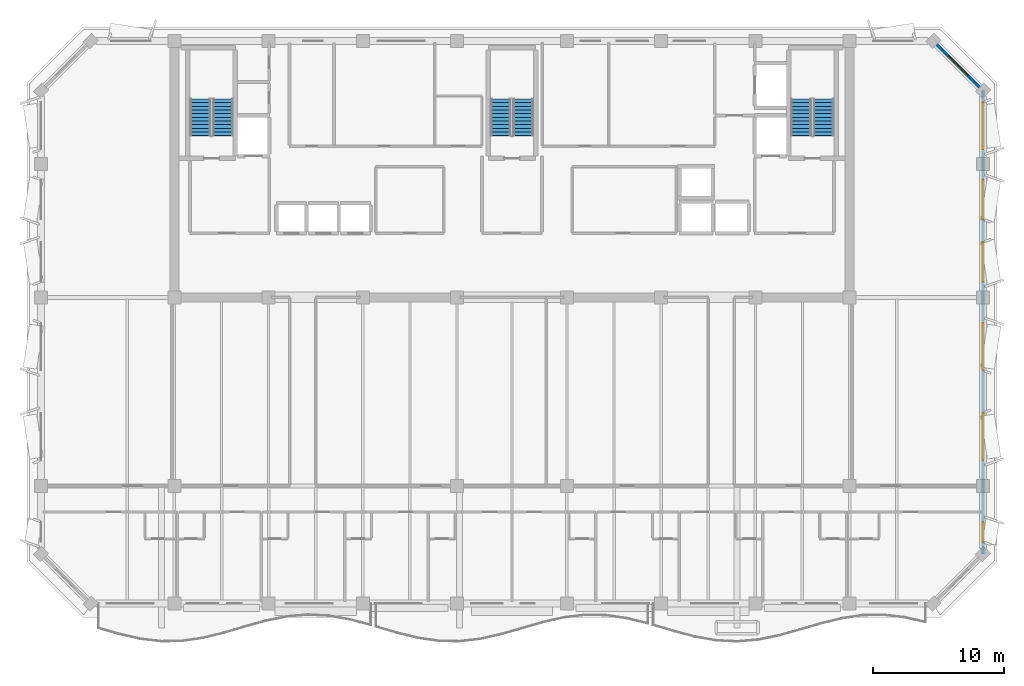
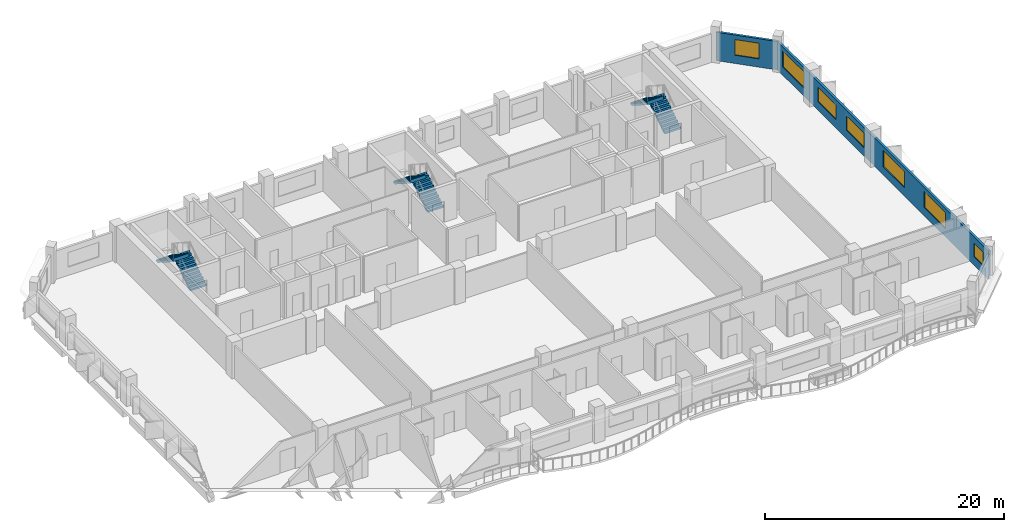
# One storey, part 8 of 11: 7 windows, 6 stair flights, 2 walls, 7 openings, 3 elements without a shape of their own.
"""IFC4 building model written with IfcOpenShell, lengths in metres."""

import ifcopenshell
import ifcopenshell.guid

model = None  # the IFC model being written
_history = None  # IfcOwnerHistory: only IFC2X3 demands one
_inside = {}  # id of a spatial element -> (the spatial element, [elements in it])
_under = {}  # id of a project, library or spatial element -> (it, [spatial elements below it])
_declared = {}  # id of a project -> (the project, [libraries it declares])
_typed = {}  # id of a type object -> (the type object, [elements of that type])
_made_of = {}  # id of a material, layer set ... -> (it, [elements and type objects made of it])


def new_model(schema):
    """Start an empty IFC model of exactly this schema.

    Asked for "IFC4X3", IfcOpenShell would pick the latest addendum, in which some entities
    have other attributes; the version numbers below select the first issue.
    IFC2X3 requires an IfcOwnerHistory on every rooted entity: one is made here for all.
    """
    global model, _history
    if schema == "IFC4X3":
        model = ifcopenshell.file(schema_version=(4, 3, 0, 0))
    else:
        model = ifcopenshell.file(schema=schema)
    _inside.clear()
    _under.clear()
    _declared.clear()
    _typed.clear()
    _made_of.clear()
    _history = None
    if model.schema == "IFC2X3":
        org = make("IfcOrganization", Name="unknown")
        user = make(
            "IfcPersonAndOrganization",
            ThePerson=make("IfcPerson", FamilyName="unknown"),
            TheOrganization=org,
        )
        app = make(
            "IfcApplication",
            ApplicationDeveloper=org,
            Version="unknown",
            ApplicationFullName="unknown",
            ApplicationIdentifier="unknown",
        )
        _history = make(
            "IfcOwnerHistory",
            OwningUser=user,
            OwningApplication=app,
            ChangeAction="ADDED",
            CreationDate=0,
        )
    return model


def make(cls, **values):
    """One entity of the class cls with the attributes given. An attribute that is None is left unset."""
    return model.create_entity(
        cls, **{name: value for name, value in values.items() if value is not None}
    )


def rooted(cls, **values):
    """An entity with a GlobalId (a new one), such as an element, a storey or a relation."""
    return make(cls, GlobalId=ifcopenshell.guid.new(), OwnerHistory=_history, **values)


def si_unit(unit_type, name, prefix=None):
    """IfcSIUnit, for example si_unit("LENGTHUNIT", "METRE", prefix="MILLI")."""
    return make("IfcSIUnit", UnitType=unit_type, Prefix=prefix, Name=name)


def assignment(units):
    """IfcUnitAssignment: the units of a project."""
    return None if units is None else make("IfcUnitAssignment", Units=units)


def point(xyz):
    """IfcCartesianPoint."""
    return None if xyz is None else make("IfcCartesianPoint", Coordinates=xyz)


def direction(xyz):
    """IfcDirection."""
    return None if xyz is None else make("IfcDirection", DirectionRatios=xyz)


def frame(location, z_axis=None, x_axis=None):
    """IfcAxis2Placement3D, a coordinate frame: its origin and axes. An axis left out is left unset."""
    return make(
        "IfcAxis2Placement3D",
        Location=point(location),
        Axis=direction(z_axis),
        RefDirection=direction(x_axis),
    )


def frame_2d(location, x_axis=None):
    """IfcAxis2Placement2D, a coordinate frame in the plane: its origin and x axis."""
    return make(
        "IfcAxis2Placement2D", Location=point(location), RefDirection=direction(x_axis)
    )


def origin():
    """The frame at (0, 0, 0) with its axes left unset."""
    return frame((0.0, 0.0, 0.0))


def place(relative_to, where):
    """IfcLocalPlacement: puts the frame where relative to a parent placement (None: the world)."""
    return make(
        "IfcLocalPlacement", PlacementRelTo=relative_to, RelativePlacement=where
    )


def context(
    kind, dimensions, precision=None, world=None, true_north=None, identifier=None
):
    """IfcGeometricRepresentationContext, for example the 3D "Model" context."""
    return make(
        "IfcGeometricRepresentationContext",
        ContextIdentifier=identifier,
        ContextType=kind,
        CoordinateSpaceDimension=dimensions,
        Precision=precision,
        WorldCoordinateSystem=world,
        TrueNorth=true_north,
    )


def subcontext(parent, identifier, kind, view, scale=None):
    """IfcGeometricRepresentationSubContext, for example "Body" below "Model"."""
    return make(
        "IfcGeometricRepresentationSubContext",
        ContextIdentifier=identifier,
        ContextType=kind,
        ParentContext=parent,
        TargetScale=scale,
        TargetView=view,
    )


def project(units=None, contexts=None):
    """IfcProject with its units and contexts."""
    return rooted(
        "IfcProject",
        Name="project",
        RepresentationContexts=contexts,
        UnitsInContext=assignment(units),
    )


def spatial(cls, under=None, at=None, **own):
    """A site, building, storey or space (cls), placed at a placement, below another one or the project."""
    s = rooted(cls, ObjectPlacement=at, **own)
    if under is not None:
        _under.setdefault(under.id(), (under, []))[1].append(s)
    return s


def polyline(points):
    """IfcPolyline through the points."""
    return make("IfcPolyline", Points=[point(p) for p in points])


def profile(cls, at=None, kind="AREA", **sizes):
    """A parametric profile (cls). Its sizes go by their IFC names, for example OverallWidth=200.0."""
    return make(cls, ProfileType=kind, Position=at, **sizes)


def rectangle(**sizes):
    """IfcRectangleProfileDef."""
    return profile("IfcRectangleProfileDef", **sizes)


def outline(outer, holes=None, kind="AREA"):
    """IfcArbitraryClosedProfileDef: a profile drawn as a closed curve; with holes, ...WithVoids."""
    if holes is None:
        return make("IfcArbitraryClosedProfileDef", ProfileType=kind, OuterCurve=outer)
    return make(
        "IfcArbitraryProfileDefWithVoids",
        ProfileType=kind,
        OuterCurve=outer,
        InnerCurves=holes,
    )


def extrude(swept, where, along, depth):
    """IfcExtrudedAreaSolid: the profile swept, set in the frame where, extruded along a direction by depth."""
    return make(
        "IfcExtrudedAreaSolid",
        SweptArea=swept,
        Position=where,
        ExtrudedDirection=direction(along),
        Depth=depth,
    )


def shape(context_of_items, identifier, shape_type, items):
    """IfcShapeRepresentation: the items that make up one representation, for example the "Body"."""
    return make(
        "IfcShapeRepresentation",
        ContextOfItems=context_of_items,
        RepresentationIdentifier=identifier,
        RepresentationType=shape_type,
        Items=items,
    )


def material(Name=None, Category=None):
    """IfcMaterial."""
    return make("IfcMaterial", Name=Name, Category=Category)


def layer(
    of_material, thickness, ventilated=None, Name=None, Category=None, Priority=None
):
    """IfcMaterialLayer: one layer of a wall or slab, of a material (None: an air gap)."""
    return make(
        "IfcMaterialLayer",
        Material=of_material,
        LayerThickness=thickness,
        IsVentilated=ventilated,
        Name=Name,
        Category=Category,
        Priority=Priority,
    )


def layer_set(layers, Name=None):
    """IfcMaterialLayerSet."""
    return make("IfcMaterialLayerSet", MaterialLayers=layers, LayerSetName=Name)


def made_of(thing, what):
    """Note that an element or type object is made of a material, layer set ...; save() writes the relation."""
    if what is not None:
        _made_of.setdefault(what.id(), (what, []))[1].append(thing)
    return thing


def type_object(cls, material=None, **own):
    """A type object (cls), such as IfcWallType, which elements share."""
    return made_of(rooted(cls, **own), material)


def element(
    cls,
    number,
    at=None,
    inside=None,
    cuts=None,
    type_object=None,
    material=None,
    context=None,
    identifier="Body",
    shape_type=None,
    held_by="IfcProductDefinitionShape",
    body=None,
    shapes=None,
    **own,
):
    """One element of the class cls, such as IfcWall. Its Tag is "e" and its number.

    at: its placement. inside: the storey or other place that contains it. cuts: it is an
    opening in that element (IfcRelVoidsElement). A single representation is given by context,
    identifier, shape_type and body (its items); several are given by shapes. held_by: the class
    of the entity that holds the representations. save() writes the other relations.
    """
    e = rooted(cls, Tag="e%d" % number, ObjectPlacement=at, **own)
    if body is not None:
        shapes = [shape(context, identifier, shape_type, body)]
    if shapes is not None:
        e.Representation = make(held_by, Representations=shapes)
    if inside is not None:
        _inside.setdefault(inside.id(), (inside, []))[1].append(e)
    if cuts is not None:
        rooted(
            "IfcRelVoidsElement", RelatingBuildingElement=cuts, RelatedOpeningElement=e
        )
    if type_object is not None:
        _typed.setdefault(type_object.id(), (type_object, []))[1].append(e)
    return made_of(e, material)


def fill(opening, filler):
    """IfcRelFillsElement: the door or window that sits in an opening."""
    return rooted(
        "IfcRelFillsElement",
        RelatingOpeningElement=opening,
        RelatedBuildingElement=filler,
    )


def aggregate(whole, parts):
    """IfcRelAggregates: a whole, such as a stair, and the parts it consists of."""
    return rooted("IfcRelAggregates", RelatingObject=whole, RelatedObjects=parts)


def save(model, path):
    """Write the relations noted so far, then the file.

    IfcRelAggregates (storeys below a building ...), IfcRelContainedInSpatialStructure (elements
    in a storey), IfcRelDefinesByType, IfcRelAssociatesMaterial and IfcRelDeclares: one each for
    every whole, place, type object, material and project.
    """
    for whole, parts in _under.values():
        aggregate(whole, parts)
    for where, things in _inside.values():
        rooted(
            "IfcRelContainedInSpatialStructure",
            RelatedElements=things,
            RelatingStructure=where,
        )
    for kind, things in _typed.values():
        rooted("IfcRelDefinesByType", RelatedObjects=things, RelatingType=kind)
    for what, things in _made_of.values():
        rooted("IfcRelAssociatesMaterial", RelatedObjects=things, RelatingMaterial=what)
    for by, libraries in _declared.values():
        rooted("IfcRelDeclares", RelatingContext=by, RelatedDefinitions=libraries)
    model.write(path)


model = new_model("IFC4")

# Units and contexts
model_context = context("Model", 3, precision=1e-05, world=origin(), true_north=direction((0.0, 1.0)))
body_context = subcontext(model_context, "Body", "Model", "MODEL_VIEW")
ifc_project = project(units=[si_unit("LENGTHUNIT", "METRE"), si_unit("AREAUNIT", "SQUARE_METRE"), si_unit("VOLUMEUNIT", "CUBIC_METRE"), si_unit("PLANEANGLEUNIT", "RADIAN"), si_unit("MASSUNIT", "GRAM", prefix="KILO")], contexts=[model_context])

# Site, building, storey
site_placement = place(None, origin())
site = spatial("IfcSite", under=ifc_project, at=site_placement, CompositionType="ELEMENT")
building_placement = place(site_placement, origin())
building = spatial("IfcBuilding", under=site, at=building_placement, Name="Kaelvorn Grand Hotel", CompositionType="ELEMENT")
storey_placement = place(building_placement, frame((0.0, 0.0, 237.050048828125)))
storey = spatial("IfcBuildingStorey", under=building, at=storey_placement, Name="L58", CompositionType="ELEMENT", Elevation=237.050048828125)

# Wall, openings, windows
ifc_material_1 = material(Name="Concrete C40/50", Category="concrete")
ifc_layer = layer(ifc_material_1, 0.219970703125)
ifc_layer_set = layer_set([ifc_layer], Name="Concrete C40/50")
wall_type = type_object("IfcWallType", Name="WL-EXT-220-C40", PredefinedType="SOLIDWALL", material=ifc_layer_set)
wall_1_placement = place(storey_placement, frame((78.0, 9.800048828125, 0.0), z_axis=(0.0, 0.0, 1.0), x_axis=(0.0, 1.0, 0.0)))
wall_1 = element("IfcWall", 1, at=wall_1_placement, inside=storey, type_object=wall_type, Name="L58 Exterior Architectural Concrete Wall 03", PredefinedType="SOLIDWALL", context=body_context, shape_type="SweptSolid", body=[
    extrude(rectangle(XDim=35.39990234375, YDim=0.219970703125, at=frame_2d((17.699951171875, 0.0))), origin(), (0.0, 0.0, 1.0), 2.909912109375),
])
opening_1_placement = place(wall_1_placement, frame((0.93505859375, 0.0, 0.85009765625)))
opening_1 = element("IfcOpeningElement", 2, at=opening_1_placement, cuts=wall_1, Name="Opening W10", PredefinedType="OPENING", context=body_context, shape_type="SweptSolid", body=[
    extrude(rectangle(XDim=1.5, YDim=1.39990234375, at=frame_2d((0.75, 0.699951171875))), frame((0.0, 0.1201171875, 0.0), z_axis=(0.0, -1.0, 0.0), x_axis=(1.0, 0.0, 0.0)), (0.0, 0.0, 1.0), 0.239990234375),
])
opening_2_placement = place(wall_1_placement, frame((7.1650390625, 0.0, 0.85009765625)))
opening_2 = element("IfcOpeningElement", 3, at=opening_2_placement, cuts=wall_1, Name="Opening W3", PredefinedType="OPENING", context=body_context, shape_type="SweptSolid", body=[
    extrude(rectangle(XDim=3.60009765625, YDim=1.64990234375, at=frame_2d((1.800048828125, 0.824951171875))), frame((0.0, 0.1201171875, 0.0), z_axis=(0.0, -1.0, 0.0), x_axis=(1.0, 0.0, 0.0)), (0.0, 0.0, 1.0), 0.239990234375),
])
opening_3_placement = place(wall_1_placement, frame((14.034912109375, 0.0, 0.85009765625)))
opening_3 = element("IfcOpeningElement", 4, at=opening_3_placement, cuts=wall_1, Name="Opening W3", PredefinedType="OPENING", context=body_context, shape_type="SweptSolid", body=[
    extrude(rectangle(XDim=3.60009765625, YDim=1.64990234375, at=frame_2d((1.800048828125, 0.824951171875))), frame((0.0, 0.1201171875, 0.0), z_axis=(0.0, -1.0, 0.0), x_axis=(1.0, 0.0, 0.0)), (0.0, 0.0, 1.0), 0.239990234375),
])
opening_4_placement = place(wall_1_placement, frame((20.81494140625, 0.0, 0.85009765625)))
opening_4 = element("IfcOpeningElement", 5, at=opening_4_placement, cuts=wall_1, Name="Opening W5", PredefinedType="OPENING", context=body_context, shape_type="SweptSolid", body=[
    extrude(rectangle(XDim=3.0, YDim=1.5, at=frame_2d((1.5, 0.75))), frame((0.0, 0.1201171875, 0.0), z_axis=(0.0, -1.0, 0.0), x_axis=(1.0, 0.0, 0.0)), (0.0, 0.0, 1.0), 0.239990234375),
])
opening_5_placement = place(wall_1_placement, frame((25.5849609375, 0.0, 0.85009765625)))
opening_5 = element("IfcOpeningElement", 6, at=opening_5_placement, cuts=wall_1, Name="Opening W5", PredefinedType="OPENING", context=body_context, shape_type="SweptSolid", body=[
    extrude(rectangle(XDim=3.0, YDim=1.5, at=frame_2d((1.5, 0.75))), frame((0.0, 0.1201171875, 0.0), z_axis=(0.0, -1.0, 0.0), x_axis=(1.0, 0.0, 0.0)), (0.0, 0.0, 1.0), 0.239990234375),
])
opening_6_placement = place(wall_1_placement, frame((30.9150390625, 0.0, 0.85009765625)))
opening_6 = element("IfcOpeningElement", 7, at=opening_6_placement, cuts=wall_1, Name="Opening W3", PredefinedType="OPENING", context=body_context, shape_type="SweptSolid", body=[
    extrude(rectangle(XDim=3.60009765625, YDim=1.64990234375, at=frame_2d((1.800048828125, 0.824951171875))), frame((0.0, 0.1201171875, 0.0), z_axis=(0.0, -1.0, 0.0), x_axis=(1.0, 0.0, 0.0)), (0.0, 0.0, 1.0), 0.239990234375),
])
ifc_material_2 = material(Name="Laminated Low-E Glass", Category="glass")
window_type_1 = type_object("IfcWindowType", Name="WIN-COR-1500x1400", PartitioningType="SINGLE_PANEL", PredefinedType="WINDOW", material=ifc_material_2)
window_1_placement = place(opening_1_placement, origin())
window_1 = element("IfcWindow", 8, at=window_1_placement, inside=storey, type_object=window_type_1, Name="L58 E Wing Tilted-Frame Ribbon Window E01", OverallHeight=1.39990234375, OverallWidth=1.5, PartitioningType="SINGLE_PANEL", PredefinedType="WINDOW", context=body_context, shape_type="SweptSolid", body=[
    extrude(rectangle(XDim=1.5, YDim=1.39990234375, at=frame_2d((0.75, 0.699951171875))), frame((0.0, 0.030029296875, 0.0), z_axis=(0.0, -1.0, 0.0), x_axis=(1.0, 0.0, 0.0)), (0.0, 0.0, 1.0), 0.06005859375),
])
fill(opening_1, window_1)
window_type_2 = type_object("IfcWindowType", Name="WIN-NTH-3000x1500", PartitioningType="SINGLE_PANEL", PredefinedType="WINDOW", material=ifc_material_2)
window_2_placement = place(opening_4_placement, origin())
window_2 = element("IfcWindow", 9, at=window_2_placement, inside=storey, type_object=window_type_2, Name="L58 E Wing Tilted-Frame Ribbon Window E04", OverallHeight=1.5, OverallWidth=3.0, PartitioningType="SINGLE_PANEL", PredefinedType="WINDOW", context=body_context, shape_type="SweptSolid", body=[
    extrude(rectangle(XDim=3.0, YDim=1.5, at=frame_2d((1.5, 0.75))), frame((0.0, 0.030029296875, 0.0), z_axis=(0.0, -1.0, 0.0), x_axis=(1.0, 0.0, 0.0)), (0.0, 0.0, 1.0), 0.06005859375),
])
fill(opening_4, window_2)
window_3_placement = place(opening_5_placement, origin())
window_3 = element("IfcWindow", 10, at=window_3_placement, inside=storey, type_object=window_type_2, Name="L58 E Wing Tilted-Frame Ribbon Window E05", OverallHeight=1.5, OverallWidth=3.0, PartitioningType="SINGLE_PANEL", PredefinedType="WINDOW", context=body_context, shape_type="SweptSolid", body=[
    extrude(rectangle(XDim=3.0, YDim=1.5, at=frame_2d((1.5, 0.75))), frame((0.0, 0.030029296875, 0.0), z_axis=(0.0, -1.0, 0.0), x_axis=(1.0, 0.0, 0.0)), (0.0, 0.0, 1.0), 0.06005859375),
])
fill(opening_5, window_3)
window_type_3 = type_object("IfcWindowType", Name="WIN-RIB-3600x1750", PartitioningType="SINGLE_PANEL", PredefinedType="WINDOW", material=ifc_material_2)
window_4_placement = place(opening_2_placement, origin())
window_4 = element("IfcWindow", 11, at=window_4_placement, inside=storey, type_object=window_type_3, Name="L58 E Wing Tilted-Frame Ribbon Window E02", OverallHeight=1.64990234375, OverallWidth=3.60009765625, PartitioningType="SINGLE_PANEL", PredefinedType="WINDOW", context=body_context, shape_type="SweptSolid", body=[
    extrude(rectangle(XDim=3.60009765625, YDim=1.64990234375, at=frame_2d((1.800048828125, 0.824951171875))), frame((0.0, 0.030029296875, 0.0), z_axis=(0.0, -1.0, 0.0), x_axis=(1.0, 0.0, 0.0)), (0.0, 0.0, 1.0), 0.06005859375),
])
fill(opening_2, window_4)
window_5_placement = place(opening_3_placement, origin())
window_5 = element("IfcWindow", 12, at=window_5_placement, inside=storey, type_object=window_type_3, Name="L58 E Wing Tilted-Frame Ribbon Window E03", OverallHeight=1.64990234375, OverallWidth=3.60009765625, PartitioningType="SINGLE_PANEL", PredefinedType="WINDOW", context=body_context, shape_type="SweptSolid", body=[
    extrude(rectangle(XDim=3.60009765625, YDim=1.64990234375, at=frame_2d((1.800048828125, 0.824951171875))), frame((0.0, 0.030029296875, 0.0), z_axis=(0.0, -1.0, 0.0), x_axis=(1.0, 0.0, 0.0)), (0.0, 0.0, 1.0), 0.06005859375),
])
fill(opening_3, window_5)
window_6_placement = place(opening_6_placement, origin())
window_6 = element("IfcWindow", 13, at=window_6_placement, inside=storey, type_object=window_type_3, Name="L58 E Wing Tilted-Frame Ribbon Window E06", OverallHeight=1.64990234375, OverallWidth=3.60009765625, PartitioningType="SINGLE_PANEL", PredefinedType="WINDOW", context=body_context, shape_type="SweptSolid", body=[
    extrude(rectangle(XDim=3.60009765625, YDim=1.64990234375, at=frame_2d((1.800048828125, 0.824951171875))), frame((0.0, 0.030029296875, 0.0), z_axis=(0.0, -1.0, 0.0), x_axis=(1.0, 0.0, 0.0)), (0.0, 0.0, 1.0), 0.06005859375),
])
fill(opening_6, window_6)

# Wall, opening, window
wall_2_placement = place(storey_placement, frame((78.0, 45.199951171875, 0.0), z_axis=(0.0, 0.0, 1.0), x_axis=(-0.707106781187, 0.707106781187, 0.0)))
wall_2 = element("IfcWall", 14, at=wall_2_placement, inside=storey, type_object=wall_type, Name="L58 Exterior Architectural Concrete Wall 04", PredefinedType="SOLIDWALL", context=body_context, shape_type="SweptSolid", body=[
    extrude(rectangle(XDim=5.3740234375, YDim=0.219970703125, at=frame_2d((2.68701171875, 0.0))), origin(), (0.0, 0.0, 1.0), 2.909912109375),
])
opening_7_placement = place(wall_2_placement, frame((1.636962890625, 0.0, 0.85009765625)))
opening_7 = element("IfcOpeningElement", 15, at=opening_7_placement, cuts=wall_2, Name="Opening W7", PredefinedType="OPENING", context=body_context, shape_type="SweptSolid", body=[
    extrude(rectangle(XDim=2.10009765625, YDim=1.60009765625, at=frame_2d((1.050048828125, 0.800048828125))), frame((0.0, 0.1201171875, 0.0), z_axis=(0.0, -1.0, 0.0), x_axis=(1.0, 0.0, 0.0)), (0.0, 0.0, 1.0), 0.239990234375),
])
window_type_4 = type_object("IfcWindowType", Name="WIN-CHM-2100x1600", PartitioningType="SINGLE_PANEL", PredefinedType="WINDOW", material=ifc_material_2)
window_7_placement = place(opening_7_placement, origin())
window_7 = element("IfcWindow", 16, at=window_7_placement, inside=storey, type_object=window_type_4, Name="L58 Chamfered 45-Degree Corner Window NE", OverallHeight=1.60009765625, OverallWidth=2.10009765625, PartitioningType="SINGLE_PANEL", PredefinedType="WINDOW", context=body_context, shape_type="SweptSolid", body=[
    extrude(rectangle(XDim=2.10009765625, YDim=1.60009765625, at=frame_2d((1.050048828125, 0.800048828125))), frame((0.0, 0.030029296875, 0.0), z_axis=(0.0, -1.0, 0.0), x_axis=(1.0, 0.0, 0.0)), (0.0, 0.0, 1.0), 0.06005859375),
])
fill(opening_7, window_7)

# Stair, stair flights
stair_type = type_object("IfcStairType", Name="STR-DOG-1560-R09", PredefinedType="HALF_TURN_STAIR", material=ifc_material_1)
stair_1_placement = place(storey_placement, origin())
stair_1 = element("IfcStair", 17, at=stair_1_placement, inside=storey, type_object=stair_type, Name="L58 West Core Exit Stair ST1", PredefinedType="HALF_TURN_STAIR")
stair_flight_type = type_object("IfcStairFlightType", Name="FLG-DOG-1560-R09", PredefinedType="STRAIGHT", material=ifc_material_1)
stair_flight_1_placement = place(storey_placement, frame((19.89990234375, 41.760009765625, 0.0), z_axis=(0.0, 0.0, 1.0), x_axis=(0.0, 1.0, 0.0)))
stair_flight_1 = element("IfcStairFlight", 18, at=stair_flight_1_placement, type_object=stair_flight_type, Name="ST1 flight 1", NumberOfRisers=11, NumberOfTreads=10, PredefinedType="STRAIGHT", RiserHeight=0.179545455, TreadLength=0.28, context=body_context, shape_type="SweptSolid", body=[
    extrude(outline(polyline([(-0.0048828125, 0.0), (-0.0048828125, 0.0400390625), (0.0, 0.179443359375), (0.280029296875, 0.179443359375), (0.280029296875, 0.359130859375), (0.56005859375, 0.359130859375), (0.56005859375, 0.53857421875), (0.840087890625, 0.53857421875), (0.840087890625, 0.71826171875), (1.1201171875, 0.71826171875), (1.1201171875, 0.897705078125), (1.39990234375, 0.897705078125), (1.39990234375, 1.077392578125), (1.679931640625, 1.077392578125), (1.679931640625, 1.2568359375), (1.9599609375, 1.2568359375), (1.9599609375, 1.436279296875), (2.239990234375, 1.436279296875), (2.239990234375, 1.615966796875), (2.52001953125, 1.615966796875), (2.52001953125, 1.79541015625), (2.800048828125, 1.79541015625), (2.800048828125, 1.97509765625), (2.804931640625, 1.97509765625), (2.804931640625, 1.617431640625), (0.277587890625, 0.0), (-0.0048828125, 0.0)])), frame((0.0, 0.780029296875, 0.0), z_axis=(0.0, -1.0, 0.0), x_axis=(1.0, 0.0, 0.0)), (0.0, 0.0, 1.0), 1.56005859375),
])
stair_flight_2_placement = place(storey_placement, frame((18.179931640625, 44.56005859375, 1.974853515625), z_axis=(0.0, 0.0, 1.0), x_axis=(0.0, -1.0, 0.0)))
stair_flight_2 = element("IfcStairFlight", 19, at=stair_flight_2_placement, type_object=stair_flight_type, Name="ST1 flight 2", NumberOfRisers=11, NumberOfTreads=10, PredefinedType="STRAIGHT", RiserHeight=0.179545455, TreadLength=0.28, context=body_context, shape_type="SweptSolid", body=[
    extrude(outline(polyline([(-0.0048828125, 0.0), (-0.0048828125, 0.0400390625), (0.0, 0.179443359375), (0.280029296875, 0.179443359375), (0.280029296875, 0.359130859375), (0.56005859375, 0.359130859375), (0.56005859375, 0.53857421875), (0.840087890625, 0.53857421875), (0.840087890625, 0.71826171875), (1.1201171875, 0.71826171875), (1.1201171875, 0.897705078125), (1.39990234375, 0.897705078125), (1.39990234375, 1.077392578125), (1.679931640625, 1.077392578125), (1.679931640625, 1.2568359375), (1.9599609375, 1.2568359375), (1.9599609375, 1.436279296875), (2.239990234375, 1.436279296875), (2.239990234375, 1.615966796875), (2.52001953125, 1.615966796875), (2.52001953125, 1.79541015625), (2.800048828125, 1.79541015625), (2.800048828125, 1.97509765625), (2.804931640625, 1.97509765625), (2.804931640625, 1.617431640625), (0.277587890625, 0.0), (-0.0048828125, 0.0)])), frame((0.0, 0.780029296875, 0.0), z_axis=(0.0, -1.0, 0.0), x_axis=(1.0, 0.0, 0.0)), (0.0, 0.0, 1.0), 1.56005859375),
])
aggregate(stair_1, [stair_flight_1, stair_flight_2])

stair_2_placement = place(storey_placement, origin())
stair_2 = element("IfcStair", 20, at=stair_2_placement, inside=storey, type_object=stair_type, Name="L58 Central Core Exit Stair ST2", PredefinedType="HALF_TURN_STAIR")
stair_flight_3_placement = place(storey_placement, frame((42.860107421875, 41.760009765625, 0.0), z_axis=(0.0, 0.0, 1.0), x_axis=(0.0, 1.0, 0.0)))
stair_flight_3 = element("IfcStairFlight", 21, at=stair_flight_3_placement, type_object=stair_flight_type, Name="ST2 flight 1", NumberOfRisers=11, NumberOfTreads=10, PredefinedType="STRAIGHT", RiserHeight=0.179545455, TreadLength=0.28, context=body_context, shape_type="SweptSolid", body=[
    extrude(outline(polyline([(-0.0048828125, 0.0), (-0.0048828125, 0.0400390625), (0.0, 0.179443359375), (0.280029296875, 0.179443359375), (0.280029296875, 0.359130859375), (0.56005859375, 0.359130859375), (0.56005859375, 0.53857421875), (0.840087890625, 0.53857421875), (0.840087890625, 0.71826171875), (1.1201171875, 0.71826171875), (1.1201171875, 0.897705078125), (1.39990234375, 0.897705078125), (1.39990234375, 1.077392578125), (1.679931640625, 1.077392578125), (1.679931640625, 1.2568359375), (1.9599609375, 1.2568359375), (1.9599609375, 1.436279296875), (2.239990234375, 1.436279296875), (2.239990234375, 1.615966796875), (2.52001953125, 1.615966796875), (2.52001953125, 1.79541015625), (2.800048828125, 1.79541015625), (2.800048828125, 1.97509765625), (2.804931640625, 1.97509765625), (2.804931640625, 1.617431640625), (0.277587890625, 0.0), (-0.0048828125, 0.0)])), frame((0.0, 0.780029296875, 0.0), z_axis=(0.0, -1.0, 0.0), x_axis=(1.0, 0.0, 0.0)), (0.0, 0.0, 1.0), 1.56005859375),
])
stair_flight_4_placement = place(storey_placement, frame((41.139892578125, 44.56005859375, 1.974853515625), z_axis=(0.0, 0.0, 1.0), x_axis=(0.0, -1.0, 0.0)))
stair_flight_4 = element("IfcStairFlight", 22, at=stair_flight_4_placement, type_object=stair_flight_type, Name="ST2 flight 2", NumberOfRisers=11, NumberOfTreads=10, PredefinedType="STRAIGHT", RiserHeight=0.179545455, TreadLength=0.28, context=body_context, shape_type="SweptSolid", body=[
    extrude(outline(polyline([(-0.0048828125, 0.0), (-0.0048828125, 0.0400390625), (0.0, 0.179443359375), (0.280029296875, 0.179443359375), (0.280029296875, 0.359130859375), (0.56005859375, 0.359130859375), (0.56005859375, 0.53857421875), (0.840087890625, 0.53857421875), (0.840087890625, 0.71826171875), (1.1201171875, 0.71826171875), (1.1201171875, 0.897705078125), (1.39990234375, 0.897705078125), (1.39990234375, 1.077392578125), (1.679931640625, 1.077392578125), (1.679931640625, 1.2568359375), (1.9599609375, 1.2568359375), (1.9599609375, 1.436279296875), (2.239990234375, 1.436279296875), (2.239990234375, 1.615966796875), (2.52001953125, 1.615966796875), (2.52001953125, 1.79541015625), (2.800048828125, 1.79541015625), (2.800048828125, 1.97509765625), (2.804931640625, 1.97509765625), (2.804931640625, 1.617431640625), (0.277587890625, 0.0), (-0.0048828125, 0.0)])), frame((0.0, 0.780029296875, 0.0), z_axis=(0.0, -1.0, 0.0), x_axis=(1.0, 0.0, 0.0)), (0.0, 0.0, 1.0), 1.56005859375),
])
aggregate(stair_2, [stair_flight_3, stair_flight_4])

stair_3_placement = place(storey_placement, origin())
stair_3 = element("IfcStair", 23, at=stair_3_placement, inside=storey, type_object=stair_type, Name="L58 East Core Exit Stair ST3", PredefinedType="HALF_TURN_STAIR")
stair_flight_5_placement = place(storey_placement, frame((65.820068359375, 41.760009765625, 0.0), z_axis=(0.0, 0.0, 1.0), x_axis=(0.0, 1.0, 0.0)))
stair_flight_5 = element("IfcStairFlight", 24, at=stair_flight_5_placement, type_object=stair_flight_type, Name="ST3 flight 1", NumberOfRisers=11, NumberOfTreads=10, PredefinedType="STRAIGHT", RiserHeight=0.179545455, TreadLength=0.28, context=body_context, shape_type="SweptSolid", body=[
    extrude(outline(polyline([(-0.0048828125, 0.0), (-0.0048828125, 0.0400390625), (0.0, 0.179443359375), (0.280029296875, 0.179443359375), (0.280029296875, 0.359130859375), (0.56005859375, 0.359130859375), (0.56005859375, 0.53857421875), (0.840087890625, 0.53857421875), (0.840087890625, 0.71826171875), (1.1201171875, 0.71826171875), (1.1201171875, 0.897705078125), (1.39990234375, 0.897705078125), (1.39990234375, 1.077392578125), (1.679931640625, 1.077392578125), (1.679931640625, 1.2568359375), (1.9599609375, 1.2568359375), (1.9599609375, 1.436279296875), (2.239990234375, 1.436279296875), (2.239990234375, 1.615966796875), (2.52001953125, 1.615966796875), (2.52001953125, 1.79541015625), (2.800048828125, 1.79541015625), (2.800048828125, 1.97509765625), (2.804931640625, 1.97509765625), (2.804931640625, 1.617431640625), (0.277587890625, 0.0), (-0.0048828125, 0.0)])), frame((0.0, 0.780029296875, 0.0), z_axis=(0.0, -1.0, 0.0), x_axis=(1.0, 0.0, 0.0)), (0.0, 0.0, 1.0), 1.56005859375),
])
stair_flight_6_placement = place(storey_placement, frame((64.10009765625, 44.56005859375, 1.974853515625), z_axis=(0.0, 0.0, 1.0), x_axis=(0.0, -1.0, 0.0)))
stair_flight_6 = element("IfcStairFlight", 25, at=stair_flight_6_placement, type_object=stair_flight_type, Name="ST3 flight 2", NumberOfRisers=11, NumberOfTreads=10, PredefinedType="STRAIGHT", RiserHeight=0.179545455, TreadLength=0.28, context=body_context, shape_type="SweptSolid", body=[
    extrude(outline(polyline([(-0.0048828125, 0.0), (-0.0048828125, 0.0400390625), (0.0, 0.179443359375), (0.280029296875, 0.179443359375), (0.280029296875, 0.359130859375), (0.56005859375, 0.359130859375), (0.56005859375, 0.53857421875), (0.840087890625, 0.53857421875), (0.840087890625, 0.71826171875), (1.1201171875, 0.71826171875), (1.1201171875, 0.897705078125), (1.39990234375, 0.897705078125), (1.39990234375, 1.077392578125), (1.679931640625, 1.077392578125), (1.679931640625, 1.2568359375), (1.9599609375, 1.2568359375), (1.9599609375, 1.436279296875), (2.239990234375, 1.436279296875), (2.239990234375, 1.615966796875), (2.52001953125, 1.615966796875), (2.52001953125, 1.79541015625), (2.800048828125, 1.79541015625), (2.800048828125, 1.97509765625), (2.804931640625, 1.97509765625), (2.804931640625, 1.617431640625), (0.277587890625, 0.0), (-0.0048828125, 0.0)])), frame((0.0, 0.780029296875, 0.0), z_axis=(0.0, -1.0, 0.0), x_axis=(1.0, 0.0, 0.0)), (0.0, 0.0, 1.0), 1.56005859375),
])
aggregate(stair_3, [stair_flight_5, stair_flight_6])

save(model, "model.ifc")
